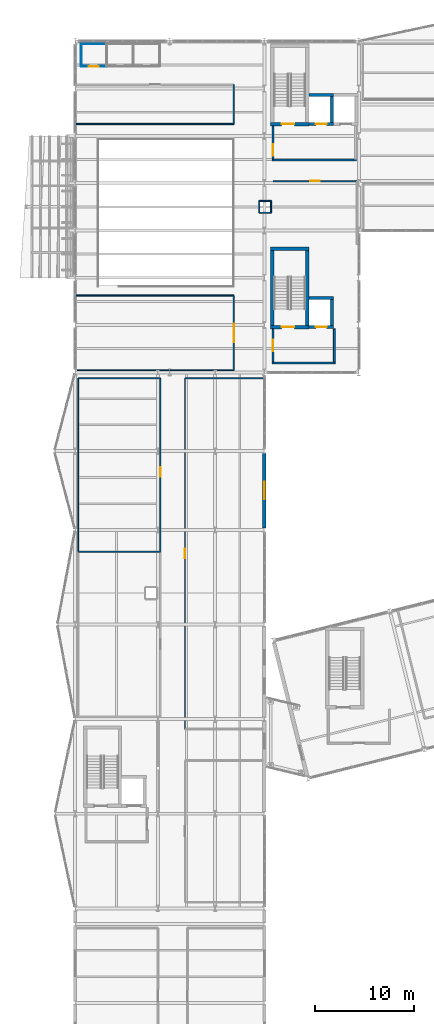
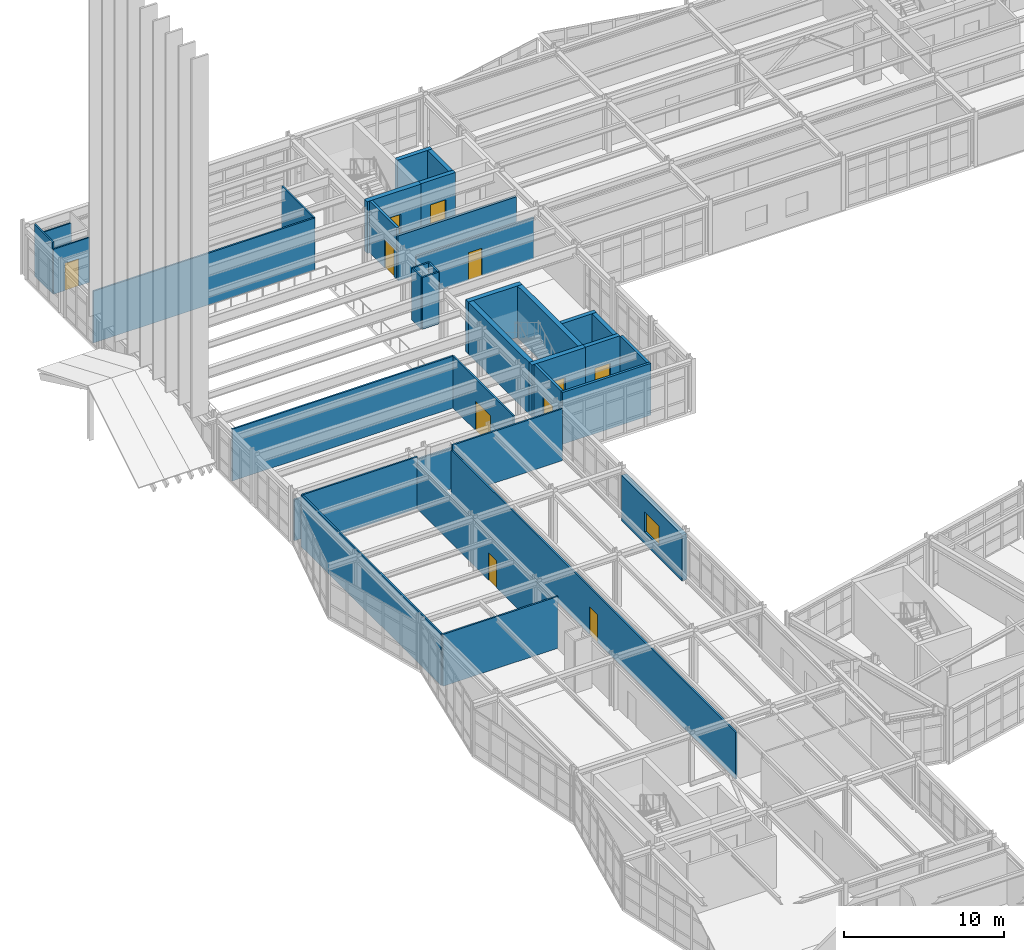
# One storey, part 84 of 99: 36 walls, 11 doors, 1 window, 12 openings.
"""IFC4 building model written with IfcOpenShell, lengths in metres."""

from ifc_helpers import new_model, si_unit, direction, frame, frame_2d, origin, place, context, subcontext, project, spatial, rectangle, extrude, material, layer, layer_set, type_object, element, fill, save


model = new_model("IFC4")

# Units and contexts
model_context = context("Model", 3, precision=1e-05, world=origin(), true_north=direction((0.0, 1.0)))
body_context = subcontext(model_context, "Body", "Model", "MODEL_VIEW")
ifc_project = project(units=[si_unit("LENGTHUNIT", "METRE"), si_unit("AREAUNIT", "SQUARE_METRE"), si_unit("VOLUMEUNIT", "CUBIC_METRE"), si_unit("PLANEANGLEUNIT", "RADIAN"), si_unit("MASSUNIT", "GRAM", prefix="KILO")], contexts=[model_context])

# Site, building, storey
site_placement = place(None, origin())
site = spatial("IfcSite", under=ifc_project, at=site_placement, CompositionType="ELEMENT")
building_placement = place(site_placement, origin())
building = spatial("IfcBuilding", under=site, at=building_placement, Name="Nordkorset Police Headquarters", CompositionType="ELEMENT")
storey_placement = place(building_placement, frame((0.0, 0.0, 5.25)))
storey = spatial("IfcBuildingStorey", under=building, at=storey_placement, Name="L01", CompositionType="ELEMENT", Elevation=5.25)

# Wall
ifc_material_1 = material(Name="Gypsum board", Category="gypsum")
ifc_layer_1 = layer(ifc_material_1, 0.179931640625, Name="Gypsum board")
ifc_layer_set_1 = layer_set([ifc_layer_1], Name="Gypsum board")
wall_type_1 = type_object("IfcWallType", Name="Wall_Comp_180", PredefinedType="PARTITIONING", material=ifc_layer_set_1)
wall_1_placement = place(storey_placement, frame((20.0, 104.760009765625, 0.0), z_axis=(0.0, 0.0, 1.0), x_axis=(1.0, 0.0, 0.0)))
element("IfcWall", 1, at=wall_1_placement, inside=storey, type_object=wall_type_1, Name="Firefighting Lobby EI 60 Wall K1 L01 S", PredefinedType="PARTITIONING", context=body_context, shape_type="SweptSolid", body=[
    extrude(rectangle(XDim=8.550048828125, YDim=0.179931640625, at=frame_2d((4.27490234375, 0.0))), origin(), (0.0, 0.0, 1.0), 3.43994140625),
])

# Wall, opening, door
wall_2_placement = place(storey_placement, frame((20.090087890625, 104.85009765625, 0.0), z_axis=(0.0, 0.0, 1.0), x_axis=(0.0, 1.0, 0.0)))
wall_2 = element("IfcWall", 2, at=wall_2_placement, inside=storey, type_object=wall_type_1, Name="Firefighting Lobby EI 60 Wall K1 L01 W", PredefinedType="PARTITIONING", context=body_context, shape_type="SweptSolid", body=[
    extrude(rectangle(XDim=3.375, YDim=0.179931640625, at=frame_2d((1.6875, 0.0))), origin(), (0.0, 0.0, 1.0), 3.9599609375),
])
opening_1_placement = place(wall_2_placement, frame((0.35009765625, 0.0, 0.0)))
opening_1 = element("IfcOpeningElement", 3, at=opening_1_placement, cuts=wall_2, Name="Opening DR-01", PredefinedType="OPENING", context=body_context, shape_type="SweptSolid", body=[
    extrude(rectangle(XDim=1.14990234375, YDim=2.14990234375, at=frame_2d((0.574951171875, 1.074951171875))), frame((0.0, 0.10009765625, 0.0), z_axis=(0.0, -1.0, 0.0), x_axis=(1.0, 0.0, 0.0)), (0.0, 0.0, 1.0), 0.199951171875),
])
ifc_material_2 = material(Name="Steel S355J2", Category="steel")
door_type_1 = type_object("IfcDoorType", Name="Door_LobbySingle_1150x2150", OperationType="NOTDEFINED", PredefinedType="DOOR", material=ifc_material_2)
door_1_placement = place(opening_1_placement, origin())
door_1 = element("IfcDoor", 4, at=door_1_placement, inside=storey, type_object=door_type_1, Name="Firefighting Lobby Smoke Door K1 L01 W", OperationType="SINGLE_SWING_LEFT", OverallHeight=2.14990234375, OverallWidth=1.14990234375, PredefinedType="DOOR", context=body_context, shape_type="SweptSolid", body=[
    extrude(rectangle(XDim=1.14990234375, YDim=2.14990234375, at=frame_2d((0.574951171875, 1.074951171875))), frame((0.0, 0.02490234375, 0.0), z_axis=(0.0, -1.0, 0.0), x_axis=(1.0, 0.0, 0.0)), (0.0, 0.0, 1.0), 0.050048828125),
])
fill(opening_1, door_1)

# Wall
wall_3_placement = place(storey_placement, frame((20.0, 84.159912109375, 0.0), z_axis=(0.0, 0.0, 1.0), x_axis=(1.0, 0.0, 0.0)))
element("IfcWall", 5, at=wall_3_placement, inside=storey, type_object=wall_type_1, Name="Firefighting Lobby EI 60 Wall K3 L01 S", PredefinedType="PARTITIONING", context=body_context, shape_type="SweptSolid", body=[
    extrude(rectangle(XDim=6.39990234375, YDim=0.179931640625, at=frame_2d((3.199951171875, 0.0))), origin(), (0.0, 0.0, 1.0), 3.9599609375),
])

# Wall, opening, door
wall_4_placement = place(storey_placement, frame((20.090087890625, 84.25, 0.0), z_axis=(0.0, 0.0, 1.0), x_axis=(0.0, 1.0, 0.0)))
wall_4 = element("IfcWall", 6, at=wall_4_placement, inside=storey, type_object=wall_type_1, Name="Firefighting Lobby EI 60 Wall K3 L01 W", PredefinedType="PARTITIONING", context=body_context, shape_type="SweptSolid", body=[
    extrude(rectangle(XDim=3.375, YDim=0.179931640625, at=frame_2d((1.6875, 0.0))), origin(), (0.0, 0.0, 1.0), 3.9599609375),
])
opening_2_placement = place(wall_4_placement, frame((1.112548828125, 0.0, 0.0)))
opening_2 = element("IfcOpeningElement", 7, at=opening_2_placement, cuts=wall_4, Name="Opening DR-01", PredefinedType="OPENING", context=body_context, shape_type="SweptSolid", body=[
    extrude(rectangle(XDim=1.14990234375, YDim=2.14990234375, at=frame_2d((0.574951171875, 1.074951171875))), frame((0.0, 0.10009765625, 0.0), z_axis=(0.0, -1.0, 0.0), x_axis=(1.0, 0.0, 0.0)), (0.0, 0.0, 1.0), 0.199951171875),
])
door_2_placement = place(opening_2_placement, origin())
door_2 = element("IfcDoor", 8, at=door_2_placement, inside=storey, type_object=door_type_1, Name="Firefighting Lobby Smoke Door K3 L01 W", OperationType="SINGLE_SWING_RIGHT", OverallHeight=2.14990234375, OverallWidth=1.14990234375, PredefinedType="DOOR", context=body_context, shape_type="SweptSolid", body=[
    extrude(rectangle(XDim=1.14990234375, YDim=2.14990234375, at=frame_2d((0.574951171875, 1.074951171875))), frame((0.0, 0.02490234375, 0.0), z_axis=(0.0, -1.0, 0.0), x_axis=(1.0, 0.0, 0.0)), (0.0, 0.0, 1.0), 0.050048828125),
])
fill(opening_2, door_2)

# Wall
wall_5_placement = place(storey_placement, frame((26.31005859375, 84.25, 0.0), z_axis=(0.0, 0.0, 1.0), x_axis=(0.0, 1.0, 0.0)))
element("IfcWall", 9, at=wall_5_placement, inside=storey, type_object=wall_type_1, Name="Firefighting Lobby EI 60 Wall K3 L01 E", PredefinedType="PARTITIONING", context=body_context, shape_type="SweptSolid", body=[
    extrude(rectangle(XDim=3.375, YDim=0.179931640625, at=frame_2d((1.6875, 0.0))), origin(), (0.0, 0.0, 1.0), 3.9599609375),
])

# Wall, opening, door
ifc_material_3 = material(Name="Concrete C35/45", Category="concrete")
ifc_layer_2 = layer(ifc_material_3, 0.35009765625, Name="Concrete C35/45")
ifc_layer_set_2 = layer_set([ifc_layer_2], Name="Concrete C35/45")
wall_type_2 = type_object("IfcWallType", Name="Wall_CoreShear_350", PredefinedType="SHEAR", material=ifc_layer_set_2)
wall_6_placement = place(storey_placement, frame((19.824951171875, 108.39990234375, 0.0), z_axis=(0.0, 0.0, 1.0), x_axis=(1.0, 0.0, 0.0)))
wall_6 = element("IfcWall", 10, at=wall_6_placement, inside=storey, type_object=wall_type_2, Name="Core K1 Stair Shaft South Shear Wall L01", PredefinedType="SHEAR", context=body_context, shape_type="SweptSolid", body=[
    extrude(rectangle(XDim=3.900146484375, YDim=0.35009765625, at=frame_2d((1.9501953125, 0.0))), origin(), (0.0, 0.0, 1.0), 3.9599609375),
])
opening_3_placement = place(wall_6_placement, frame((1.125, 0.0, 0.0)))
opening_3 = element("IfcOpeningElement", 11, at=opening_3_placement, cuts=wall_6, Name="Opening DR-20", PredefinedType="OPENING", context=body_context, shape_type="SweptSolid", body=[
    extrude(rectangle(XDim=1.300048828125, YDim=2.14990234375, at=frame_2d((0.64990234375, 1.074951171875))), frame((0.0, 0.18505859375, 0.0), z_axis=(0.0, -1.0, 0.0), x_axis=(1.0, 0.0, 0.0)), (0.0, 0.0, 1.0), 0.3701171875),
])
ifc_material_4 = material(Name="Steel S355J2", Category="steel")
door_type_2 = type_object("IfcDoorType", Name="Door_Stair_1300x2150", OperationType="NOTDEFINED", PredefinedType="DOOR", material=ifc_material_4)
door_3_placement = place(opening_3_placement, frame((1.300048828125, 0.0, 0.0), z_axis=(0.0, 0.0, 1.0), x_axis=(-1.0, 0.0, 0.0)))
door_3 = element("IfcDoor", 12, at=door_3_placement, inside=storey, type_object=door_type_2, Name="Protected Stair Fire Door ST-01 L01", OperationType="SINGLE_SWING_RIGHT", OverallHeight=2.14990234375, OverallWidth=1.300048828125, PredefinedType="DOOR", context=body_context, shape_type="SweptSolid", body=[
    extrude(rectangle(XDim=1.300048828125, YDim=2.14990234375, at=frame_2d((0.64990234375, 1.074951171875))), frame((0.0, 0.02490234375, 0.0), z_axis=(0.0, -1.0, 0.0), x_axis=(1.0, 0.0, 0.0)), (0.0, 0.0, 1.0), 0.050048828125),
])
fill(opening_3, door_3)

wall_7_placement = place(storey_placement, frame((19.824951171875, 87.800048828125, 0.0), z_axis=(0.0, 0.0, 1.0), x_axis=(1.0, 0.0, 0.0)))
wall_7 = element("IfcWall", 13, at=wall_7_placement, inside=storey, type_object=wall_type_2, Name="Core K3 Stair Shaft South Shear Wall L01", PredefinedType="SHEAR", context=body_context, shape_type="SweptSolid", body=[
    extrude(rectangle(XDim=3.900146484375, YDim=0.35009765625, at=frame_2d((1.9501953125, 0.0))), origin(), (0.0, 0.0, 1.0), 3.9599609375),
])
opening_4_placement = place(wall_7_placement, frame((1.125, 0.0, 0.0)))
opening_4 = element("IfcOpeningElement", 14, at=opening_4_placement, cuts=wall_7, Name="Opening DR-20", PredefinedType="OPENING", context=body_context, shape_type="SweptSolid", body=[
    extrude(rectangle(XDim=1.300048828125, YDim=2.14990234375, at=frame_2d((0.64990234375, 1.074951171875))), frame((0.0, 0.18505859375, 0.0), z_axis=(0.0, -1.0, 0.0), x_axis=(1.0, 0.0, 0.0)), (0.0, 0.0, 1.0), 0.3701171875),
])
door_4_placement = place(opening_4_placement, frame((1.300048828125, 0.0, 0.0), z_axis=(0.0, 0.0, 1.0), x_axis=(-1.0, 0.0, 0.0)))
door_4 = element("IfcDoor", 15, at=door_4_placement, inside=storey, type_object=door_type_2, Name="Protected Stair Fire Door ST-03 L01", OperationType="SINGLE_SWING_LEFT", OverallHeight=2.14990234375, OverallWidth=1.300048828125, PredefinedType="DOOR", context=body_context, shape_type="SweptSolid", body=[
    extrude(rectangle(XDim=1.300048828125, YDim=2.14990234375, at=frame_2d((0.64990234375, 1.074951171875))), frame((0.0, 0.02490234375, 0.0), z_axis=(0.0, -1.0, 0.0), x_axis=(1.0, 0.0, 0.0)), (0.0, 0.0, 1.0), 0.050048828125),
])
fill(opening_4, door_4)

# Walls
wall_8_placement = place(storey_placement, frame((19.824951171875, 95.75, 0.0), z_axis=(0.0, 0.0, 1.0), x_axis=(1.0, 0.0, 0.0)))
element("IfcWall", 16, at=wall_8_placement, inside=storey, type_object=wall_type_2, Name="Core K3 Stair Shaft North Shear Wall L01", PredefinedType="SHEAR", context=body_context, shape_type="SweptSolid", body=[
    extrude(rectangle(XDim=3.900146484375, YDim=0.35009765625, at=frame_2d((1.9501953125, 0.0))), origin(), (0.0, 0.0, 1.0), 3.9599609375),
])
for number, where, z_axis, x_axis, name in (
    (17, (20.0, 87.97509765625, 0.0), (0.0, 0.0, 1.0), (0.0, 1.0, 0.0), "Core K3 Stair Shaft West Shear Wall L01"),
    (18, (23.550048828125, 87.97509765625, 0.0), (0.0, 0.0, 1.0), (0.0, 1.0, 0.0), "Core K3 Stair Shaft East Shear Wall L01"),
):
    element("IfcWall", number, at=place(storey_placement, frame(where, z_axis=z_axis, x_axis=x_axis)), inside=storey, type_object=wall_type_2, Name=name, PredefinedType="SHEAR", context=body_context, shape_type="SweptSolid", body=[
        extrude(rectangle(XDim=7.599853515625, YDim=0.35009765625, at=frame_2d((3.7998046875, 0.0))), origin(), (0.0, 0.0, 1.0), 3.9599609375),
    ])

# Wall, opening, window
ifc_material_5 = material(Name="Precast concrete C40/50", Category="concrete")
ifc_layer_3 = layer(ifc_material_5, 0.360107421875, Name="Precast concrete C40/50")
ifc_layer_set_3 = layer_set([ifc_layer_3], Name="Precast concrete C40/50")
wall_type_3 = type_object("IfcWallType", Name="Wall_ExtPrecast_360", PredefinedType="SOLIDWALL", material=ifc_layer_set_3)
wall_9_placement = place(storey_placement, frame((19.199951171875, 67.402099609375, 0.0), z_axis=(0.0, 0.0, 1.0), x_axis=(0.0, 1.0, 0.0)))
wall_9 = element("IfcWall", 19, at=wall_9_placement, inside=storey, type_object=wall_type_3, Name="Exterior Insulated Precast Wall L01 V3E-4", PredefinedType="SOLIDWALL", context=body_context, shape_type="SweptSolid", body=[
    extrude(rectangle(XDim=7.595947265625, YDim=0.360107421875, at=frame_2d((3.7978515625, 0.0))), origin(), (0.0, 0.0, 1.0), 3.5),
])
opening_5_placement = place(wall_9_placement, frame((2.89794921875, 0.0, 0.89990234375)))
opening_5 = element("IfcOpeningElement", 20, at=opening_5_placement, cuts=wall_9, Name="Opening WN-26", PredefinedType="OPENING", context=body_context, shape_type="SweptSolid", body=[
    extrude(rectangle(XDim=1.800048828125, YDim=1.550048828125, at=frame_2d((0.89990234375, 0.77490234375))), frame((0.0, 0.18994140625, 0.0), z_axis=(0.0, -1.0, 0.0), x_axis=(1.0, 0.0, 0.0)), (0.0, 0.0, 1.0), 0.380126953125),
])
ifc_material_6 = material(Name="Low-iron triple glazing", Category="glass")
window_type = type_object("IfcWindowType", Name="Win_1800x1550", PartitioningType="SINGLE_PANEL", PredefinedType="WINDOW", material=ifc_material_6)
window_placement = place(opening_5_placement, origin())
window = element("IfcWindow", 21, at=window_placement, inside=storey, type_object=window_type, Name="Triple-Glazed Exterior Window L01 V3E-4-1", OverallHeight=1.550048828125, OverallWidth=1.800048828125, PartitioningType="SINGLE_PANEL", PredefinedType="WINDOW", context=body_context, shape_type="SweptSolid", body=[
    extrude(rectangle(XDim=1.800048828125, YDim=1.550048828125, at=frame_2d((0.89990234375, 0.77490234375))), frame((0.0, 0.030029296875, 0.0), z_axis=(0.0, -1.0, 0.0), x_axis=(1.0, 0.0, 0.0)), (0.0, 0.0, 1.0), 0.06005859375),
])
fill(opening_5, window)

# Wall, opening, door
ifc_material_7 = material(Name="Gypsum board", Category="gypsum")
ifc_layer_4 = layer(ifc_material_7, 0.10009765625, Name="Gypsum board")
ifc_layer_set_4 = layer_set([ifc_layer_4], Name="Gypsum board")
wall_type_4 = type_object("IfcWallType", Name="Wall_Part_100", PredefinedType="PARTITIONING", material=ifc_layer_set_4)
wall_10_placement = place(storey_placement, frame((0.60009765625, 114.25, 0.0), z_axis=(0.0, 0.0, 1.0), x_axis=(1.0, 0.0, 0.0)))
wall_10 = element("IfcWall", 22, at=wall_10_placement, inside=storey, type_object=wall_type_4, Name="Interior Partition Wall Accessible WC L01W", PredefinedType="PARTITIONING", context=body_context, shape_type="SweptSolid", body=[
    extrude(rectangle(XDim=2.599853515625, YDim=0.10009765625, at=frame_2d((1.2998046875, 0.0))), origin(), (0.0, 0.0, 1.0), 3.43994140625),
])
opening_6_placement = place(wall_10_placement, frame((0.800048828125, 0.0, 0.0)))
opening_6 = element("IfcOpeningElement", 23, at=opening_6_placement, cuts=wall_10, Name="Opening DR-23", PredefinedType="OPENING", context=body_context, shape_type="SweptSolid", body=[
    extrude(rectangle(XDim=1.0, YDim=2.080078125, at=frame_2d((0.5, 1.0400390625))), frame((0.0, 0.06005859375, 0.0), z_axis=(0.0, -1.0, 0.0), x_axis=(1.0, 0.0, 0.0)), (0.0, 0.0, 1.0), 0.1201171875),
])
ifc_material_8 = material(Name="Glulam GL30c", Category="wood")
door_type_3 = type_object("IfcDoorType", Name="Door_WCAccess_1000x2080", OperationType="NOTDEFINED", PredefinedType="DOOR", material=ifc_material_8)
door_5_placement = place(opening_6_placement, origin())
door_5 = element("IfcDoor", 24, at=door_5_placement, inside=storey, type_object=door_type_3, Name="Interior Door Accessible WC L01W", OperationType="SINGLE_SWING_RIGHT", OverallHeight=2.080078125, OverallWidth=1.0, PredefinedType="DOOR", context=body_context, shape_type="SweptSolid", body=[
    extrude(rectangle(XDim=1.0, YDim=2.080078125, at=frame_2d((0.5, 1.0400390625))), frame((0.0, 0.02490234375, 0.0), z_axis=(0.0, -1.0, 0.0), x_axis=(1.0, 0.0, 0.0)), (0.0, 0.0, 1.0), 0.050048828125),
])
fill(opening_6, door_5)

# Walls
wall_11_placement = place(storey_placement, frame((3.199951171875, 116.550048828125, 0.0), z_axis=(0.0, 0.0, 1.0), x_axis=(-1.0, 0.0, 0.0)))
element("IfcWall", 25, at=wall_11_placement, inside=storey, type_object=wall_type_4, Name="Interior Partition Wall Accessible WC L01W", PredefinedType="PARTITIONING", context=body_context, shape_type="SweptSolid", body=[
    extrude(rectangle(XDim=2.599853515625, YDim=0.10009765625, at=frame_2d((1.2998046875, 0.0))), origin(), (0.0, 0.0, 1.0), 3.139892578125),
])
wall_12_placement = place(storey_placement, frame((0.60009765625, 116.550048828125, 0.0), z_axis=(0.0, 0.0, 1.0), x_axis=(0.0, -1.0, 0.0)))
element("IfcWall", 26, at=wall_12_placement, inside=storey, type_object=wall_type_4, Name="Interior Partition Wall Accessible WC L01W", PredefinedType="PARTITIONING", context=body_context, shape_type="SweptSolid", body=[
    extrude(rectangle(XDim=2.300048828125, YDim=0.10009765625, at=frame_2d((1.14990234375, 0.0))), origin(), (0.0, 0.0, 1.0), 3.9599609375),
])
ifc_material_9 = material(Name="Gypsum board", Category="gypsum")
ifc_layer_5 = layer(ifc_material_9, 0.1201171875, Name="Gypsum board")
ifc_layer_set_5 = layer_set([ifc_layer_5], Name="Gypsum board")
wall_type_5 = type_object("IfcWallType", Name="Wall_Part_120", PredefinedType="PARTITIONING", material=ifc_layer_set_5)
wall_13_placement = place(storey_placement, frame((0.199951171875, 83.39990234375, 0.0), z_axis=(0.0, 0.0, 1.0), x_axis=(1.0, 0.0, 0.0)))
element("IfcWall", 27, at=wall_13_placement, inside=storey, type_object=wall_type_5, Name="Interior Partition Wall Civic Atrium Overlook Gallery", PredefinedType="PARTITIONING", context=body_context, shape_type="SweptSolid", body=[
    extrude(rectangle(XDim=15.900146484375, YDim=0.1201171875, at=frame_2d((7.9501953125, 0.0))), origin(), (0.0, 0.0, 1.0), 3.139892578125),
])

# Wall, opening, door
wall_14_placement = place(storey_placement, frame((16.10009765625, 83.39990234375, 0.0), z_axis=(0.0, 0.0, 1.0), x_axis=(0.0, 1.0, 0.0)))
wall_14 = element("IfcWall", 28, at=wall_14_placement, inside=storey, type_object=wall_type_5, Name="Interior Partition Wall Civic Atrium Overlook Gallery", PredefinedType="PARTITIONING", context=body_context, shape_type="SweptSolid", body=[
    extrude(rectangle(XDim=7.60009765625, YDim=0.1201171875, at=frame_2d((3.800048828125, 0.0))), origin(), (0.0, 0.0, 1.0), 3.9599609375),
])
opening_7_placement = place(wall_14_placement, frame((2.860107421875, 0.0, 0.0)))
opening_7 = element("IfcOpeningElement", 29, at=opening_7_placement, cuts=wall_14, Name="Opening DR-05", PredefinedType="OPENING", context=body_context, shape_type="SweptSolid", body=[
    extrude(rectangle(XDim=1.8798828125, YDim=2.25, at=frame_2d((0.93994140625, 1.125))), frame((0.0, 0.070068359375, 0.0), z_axis=(0.0, -1.0, 0.0), x_axis=(1.0, 0.0, 0.0)), (0.0, 0.0, 1.0), 0.14013671875),
])
ifc_material_10 = material(Name="Aluminium alloy AW-6060", Category="aluminium")
door_type_4 = type_object("IfcDoorType", Name="Door_HallDouble_1880x2250", OperationType="DOUBLE_DOOR_SINGLE_SWING", PredefinedType="DOOR", material=ifc_material_10)
door_6_placement = place(opening_7_placement, origin())
door_6 = element("IfcDoor", 30, at=door_6_placement, inside=storey, type_object=door_type_4, Name="Interior Door Civic Atrium Overlook Gallery", OperationType="DOUBLE_DOOR_SINGLE_SWING", OverallHeight=2.25, OverallWidth=1.8798828125, PredefinedType="DOOR", context=body_context, shape_type="SweptSolid", body=[
    extrude(rectangle(XDim=1.8798828125, YDim=2.25, at=frame_2d((0.93994140625, 1.125))), frame((0.0, 0.02490234375, 0.0), z_axis=(0.0, -1.0, 0.0), x_axis=(1.0, 0.0, 0.0)), (0.0, 0.0, 1.0), 0.050048828125),
])
fill(opening_7, door_6)

# Walls
for number, where, z_axis, x_axis, name in (
    (31, (16.10009765625, 91.0, 0.0), (0.0, 0.0, 1.0), (-1.0, 0.0, 0.0), "Interior Partition Wall Civic Atrium Overlook Gallery"),
    (32, (0.0849609375, 108.39990234375, 0.0), (0.0, 0.0, 1.0), (1.0, 0.0, 0.0), "Interior Partition Wall Public Affairs and Digital Media Suite"),
):
    element("IfcWall", number, at=place(storey_placement, frame(where, z_axis=z_axis, x_axis=x_axis)), inside=storey, type_object=wall_type_5, Name=name, PredefinedType="PARTITIONING", context=body_context, shape_type="SweptSolid", body=[
        extrude(rectangle(XDim=16.01513671875, YDim=0.1201171875, at=frame_2d((8.007568359375, 0.0))), origin(), (0.0, 0.0, 1.0), 3.9599609375),
    ])
wall_15_placement = place(storey_placement, frame((16.10009765625, 108.39990234375, 0.0), z_axis=(0.0, 0.0, 1.0), x_axis=(0.0, 1.0, 0.0)))
element("IfcWall", 33, at=wall_15_placement, inside=storey, type_object=wall_type_5, Name="Interior Partition Wall Public Affairs and Digital Media Suite", PredefinedType="PARTITIONING", context=body_context, shape_type="SweptSolid", body=[
    extrude(rectangle(XDim=4.0, YDim=0.1201171875, at=frame_2d((2.0, 0.0))), origin(), (0.0, 0.0, 1.0), 3.9599609375),
])

# Wall, opening, door
wall_16_placement = place(storey_placement, frame((28.60009765625, 102.60009765625, 0.0), z_axis=(0.0, 0.0, 1.0), x_axis=(-1.0, 0.0, 0.0)))
wall_16 = element("IfcWall", 34, at=wall_16_placement, inside=storey, type_object=wall_type_5, Name="Interior Partition Wall Citizen Outreach Office", PredefinedType="PARTITIONING", context=body_context, shape_type="SweptSolid", body=[
    extrude(rectangle(XDim=8.52001953125, YDim=0.1201171875, at=frame_2d((4.260009765625, 0.0))), origin(), (0.0, 0.0, 1.0), 3.139892578125),
])
opening_8_placement = place(wall_16_placement, frame((3.77001953125, 0.0, 0.0)))
opening_8 = element("IfcOpeningElement", 35, at=opening_8_placement, cuts=wall_16, Name="Opening DR-18", PredefinedType="OPENING", context=body_context, shape_type="SweptSolid", body=[
    extrude(rectangle(XDim=0.97998046875, YDim=2.10009765625, at=frame_2d((0.489990234375, 1.050048828125))), frame((0.0, 0.070068359375, 0.0), z_axis=(0.0, -1.0, 0.0), x_axis=(1.0, 0.0, 0.0)), (0.0, 0.0, 1.0), 0.14013671875),
])
ifc_material_11 = material(Name="Glulam GL30c", Category="wood")
door_type_5 = type_object("IfcDoorType", Name="Door_Office_980x2100", OperationType="NOTDEFINED", PredefinedType="DOOR", material=ifc_material_11)
door_7_placement = place(opening_8_placement, frame((0.97998046875, 0.0, 0.0), z_axis=(0.0, 0.0, 1.0), x_axis=(-1.0, 0.0, 0.0)))
door_7 = element("IfcDoor", 36, at=door_7_placement, inside=storey, type_object=door_type_5, Name="Interior Door Citizen Outreach Office", OperationType="SINGLE_SWING_LEFT", OverallHeight=2.10009765625, OverallWidth=0.97998046875, PredefinedType="DOOR", context=body_context, shape_type="SweptSolid", body=[
    extrude(rectangle(XDim=0.97998046875, YDim=2.10009765625, at=frame_2d((0.489990234375, 1.050048828125))), frame((0.0, 0.02490234375, 0.0), z_axis=(0.0, -1.0, 0.0), x_axis=(1.0, 0.0, 0.0)), (0.0, 0.0, 1.0), 0.050048828125),
])
fill(opening_8, door_7)

# Wall
wall_17_placement = place(storey_placement, frame((8.639892578125, 65.0, 0.0), z_axis=(0.0, 0.0, 1.0), x_axis=(-1.0, 0.0, 0.0)))
element("IfcWall", 37, at=wall_17_placement, inside=storey, type_object=wall_type_5, Name="Interior Partition Wall Trace Evidence Laboratory", PredefinedType="PARTITIONING", context=body_context, shape_type="SweptSolid", body=[
    extrude(rectangle(XDim=8.33984375, YDim=0.1201171875, at=frame_2d((4.169921875, 0.0))), origin(), (0.0, 0.0, 1.0), 3.9599609375),
])

# Wall, opening, door
wall_18_placement = place(storey_placement, frame((8.639892578125, 65.054931640625, 0.0), z_axis=(0.0, 0.0, 1.0), x_axis=(0.0, 1.0, 0.0)))
wall_18 = element("IfcWall", 38, at=wall_18_placement, inside=storey, type_object=wall_type_5, Name="Interior Partition Wall Latent Fingerprint Laboratory", PredefinedType="PARTITIONING", context=body_context, shape_type="SweptSolid", body=[
    extrude(rectangle(XDim=17.545166015625, YDim=0.1201171875, at=frame_2d((8.7724609375, 0.0))), origin(), (0.0, 0.0, 1.0), 3.5),
])
opening_9_placement = place(wall_18_placement, frame((7.532470703125, 0.0, 0.0)))
opening_9 = element("IfcOpeningElement", 39, at=opening_9_placement, cuts=wall_18, Name="Opening DR-18", PredefinedType="OPENING", context=body_context, shape_type="SweptSolid", body=[
    extrude(rectangle(XDim=0.97998046875, YDim=2.10009765625, at=frame_2d((0.489990234375, 1.050048828125))), frame((0.0, 0.070068359375, 0.0), z_axis=(0.0, -1.0, 0.0), x_axis=(1.0, 0.0, 0.0)), (0.0, 0.0, 1.0), 0.14013671875),
])
door_8_placement = place(opening_9_placement, frame((0.97998046875, 0.0, 0.0), z_axis=(0.0, 0.0, 1.0), x_axis=(-1.0, 0.0, 0.0)))
door_8 = element("IfcDoor", 40, at=door_8_placement, inside=storey, type_object=door_type_5, Name="Interior Door Latent Fingerprint Laboratory", OperationType="SINGLE_SWING_LEFT", OverallHeight=2.10009765625, OverallWidth=0.97998046875, PredefinedType="DOOR", context=body_context, shape_type="SweptSolid", body=[
    extrude(rectangle(XDim=0.97998046875, YDim=2.10009765625, at=frame_2d((0.489990234375, 1.050048828125))), frame((0.0, 0.02490234375, 0.0), z_axis=(0.0, -1.0, 0.0), x_axis=(1.0, 0.0, 0.0)), (0.0, 0.0, 1.0), 0.050048828125),
])
fill(opening_9, door_8)

# Walls
wall_19_placement = place(storey_placement, frame((8.639892578125, 82.60009765625, 0.0), z_axis=(0.0, 0.0, 1.0), x_axis=(-1.0, 0.0, 0.0)))
element("IfcWall", 41, at=wall_19_placement, inside=storey, type_object=wall_type_5, Name="Interior Partition Wall Latent Fingerprint Laboratory", PredefinedType="PARTITIONING", context=body_context, shape_type="SweptSolid", body=[
    extrude(rectangle(XDim=8.33984375, YDim=0.1201171875, at=frame_2d((4.169921875, 0.0))), origin(), (0.0, 0.0, 1.0), 3.9599609375),
])
wall_20_placement = place(storey_placement, frame((0.300048828125, 82.60009765625, 0.0), z_axis=(0.0, 0.0, 1.0), x_axis=(0.0, -1.0, 0.0)))
element("IfcWall", 42, at=wall_20_placement, inside=storey, type_object=wall_type_5, Name="Interior Partition Wall Latent Fingerprint Laboratory", PredefinedType="PARTITIONING", context=body_context, shape_type="SweptSolid", body=[
    extrude(rectangle(XDim=17.545166015625, YDim=0.1201171875, at=frame_2d((8.7724609375, 0.0))), origin(), (0.0, 0.0, 1.0), 3.9599609375),
])
wall_21_placement = place(storey_placement, frame((19.114990234375, 82.60009765625, 0.0), z_axis=(0.0, 0.0, 1.0), x_axis=(-1.0, 0.0, 0.0)))
element("IfcWall", 43, at=wall_21_placement, inside=storey, type_object=wall_type_5, Name="Interior Partition Wall Forensic Imaging and Photogrammetry Studio", PredefinedType="PARTITIONING", context=body_context, shape_type="SweptSolid", body=[
    extrude(rectangle(XDim=7.955078125, YDim=0.1201171875, at=frame_2d((3.9775390625, 0.0))), origin(), (0.0, 0.0, 1.0), 3.9599609375),
])

# Wall, opening, door
wall_22_placement = place(storey_placement, frame((11.159912109375, 82.60009765625, 0.0), z_axis=(0.0, 0.0, 1.0), x_axis=(0.0, -1.0, 0.0)))
wall_22 = element("IfcWall", 44, at=wall_22_placement, inside=storey, type_object=wall_type_5, Name="Interior Partition Wall Forensic Imaging and Photogrammetry Studio", PredefinedType="PARTITIONING", context=body_context, shape_type="SweptSolid", body=[
    extrude(rectangle(XDim=35.60009765625, YDim=0.1201171875, at=frame_2d((17.800048828125, 0.0))), origin(), (0.0, 0.0, 1.0), 3.580078125),
])
opening_10_placement = place(wall_22_placement, frame((17.31005859375, 0.0, 0.0)))
opening_10 = element("IfcOpeningElement", 45, at=opening_10_placement, cuts=wall_22, Name="Opening DR-18", PredefinedType="OPENING", context=body_context, shape_type="SweptSolid", body=[
    extrude(rectangle(XDim=0.97998046875, YDim=2.10009765625, at=frame_2d((0.489990234375, 1.050048828125))), frame((0.0, 0.070068359375, 0.0), z_axis=(0.0, -1.0, 0.0), x_axis=(1.0, 0.0, 0.0)), (0.0, 0.0, 1.0), 0.14013671875),
])
door_9_placement = place(opening_10_placement, frame((0.97998046875, 0.0, 0.0), z_axis=(0.0, 0.0, 1.0), x_axis=(-1.0, 0.0, 0.0)))
door_9 = element("IfcDoor", 46, at=door_9_placement, inside=storey, type_object=door_type_5, Name="Interior Door Forensic Imaging and Photogrammetry Studio", OperationType="SINGLE_SWING_LEFT", OverallHeight=2.10009765625, OverallWidth=0.97998046875, PredefinedType="DOOR", context=body_context, shape_type="SweptSolid", body=[
    extrude(rectangle(XDim=0.97998046875, YDim=2.10009765625, at=frame_2d((0.489990234375, 1.050048828125))), frame((0.0, 0.02490234375, 0.0), z_axis=(0.0, -1.0, 0.0), x_axis=(1.0, 0.0, 0.0)), (0.0, 0.0, 1.0), 0.050048828125),
])
fill(opening_10, door_9)

# Walls
ifc_material_12 = material(Name="Gypsum board", Category="gypsum")
ifc_layer_6 = layer(ifc_material_12, 0.125, Name="Gypsum board")
ifc_layer_set_6 = layer_set([ifc_layer_6], Name="Gypsum board")
wall_type_6 = type_object("IfcWallType", Name="Wall_Riser_125", PredefinedType="PARTITIONING", material=ifc_layer_set_6)
wall_23_placement = place(storey_placement, frame((18.679931640625, 99.39990234375, 0.0), z_axis=(0.0, 0.0, 1.0), x_axis=(1.0, 0.0, 0.0)))
element("IfcWall", 47, at=wall_23_placement, inside=storey, type_object=wall_type_6, Name="Service Riser Enclosure RSR-V1 L01", PredefinedType="PARTITIONING", context=body_context, shape_type="SweptSolid", body=[
    extrude(rectangle(XDim=1.199951171875, YDim=0.125, at=frame_2d((0.60009765625, 0.0))), origin(), (0.0, 0.0, 1.0), 3.9599609375),
])
wall_24_placement = place(storey_placement, frame((19.8798828125, 99.39990234375, 0.0), z_axis=(0.0, 0.0, 1.0), x_axis=(0.0, 1.0, 0.0)))
element("IfcWall", 48, at=wall_24_placement, inside=storey, type_object=wall_type_6, Name="Service Riser Enclosure RSR-V1 L01", PredefinedType="PARTITIONING", context=body_context, shape_type="SweptSolid", body=[
    extrude(rectangle(XDim=1.2001953125, YDim=0.125, at=frame_2d((0.60009765625, 0.0))), origin(), (0.0, 0.0, 1.0), 3.9599609375),
])
wall_25_placement = place(storey_placement, frame((19.8798828125, 100.60009765625, 0.0), z_axis=(0.0, 0.0, 1.0), x_axis=(-1.0, 0.0, 0.0)))
element("IfcWall", 49, at=wall_25_placement, inside=storey, type_object=wall_type_6, Name="Service Riser Enclosure RSR-V1 L01", PredefinedType="PARTITIONING", context=body_context, shape_type="SweptSolid", body=[
    extrude(rectangle(XDim=1.199951171875, YDim=0.125, at=frame_2d((0.60009765625, 0.0))), origin(), (0.0, 0.0, 1.0), 3.9599609375),
])
wall_26_placement = place(storey_placement, frame((18.679931640625, 100.60009765625, 0.0), z_axis=(0.0, 0.0, 1.0), x_axis=(0.0, -1.0, 0.0)))
element("IfcWall", 50, at=wall_26_placement, inside=storey, type_object=wall_type_6, Name="Service Riser Enclosure RSR-V1 L01", PredefinedType="PARTITIONING", context=body_context, shape_type="SweptSolid", body=[
    extrude(rectangle(XDim=1.2001953125, YDim=0.125, at=frame_2d((0.60009765625, 0.0))), origin(), (0.0, 0.0, 1.0), 3.9599609375),
])

# Wall, opening, door
ifc_material_13 = material(Name="Concrete C35/45", Category="concrete")
ifc_layer_7 = layer(ifc_material_13, 0.300048828125, Name="Concrete C35/45")
ifc_layer_set_7 = layer_set([ifc_layer_7], Name="Concrete C35/45")
wall_type_7 = type_object("IfcWallType", Name="Wall_ShaftShear_300", PredefinedType="SHEAR", material=ifc_layer_set_7)
wall_27_placement = place(storey_placement, frame((23.72509765625, 108.39990234375, 0.0), z_axis=(0.0, 0.0, 1.0), x_axis=(1.0, 0.0, 0.0)))
wall_27 = element("IfcWall", 51, at=wall_27_placement, inside=storey, type_object=wall_type_7, Name="Lift Shaft LF-01 Front Shear Wall L01", PredefinedType="SHEAR", context=body_context, shape_type="SweptSolid", body=[
    extrude(rectangle(XDim=2.5, YDim=0.300048828125, at=frame_2d((1.25, 0.0))), origin(), (0.0, 0.0, 1.0), 3.9599609375),
])
opening_11_placement = place(wall_27_placement, frame((0.699951171875, 0.0, 0.0)))
opening_11 = element("IfcOpeningElement", 52, at=opening_11_placement, cuts=wall_27, Name="Opening LD-01", PredefinedType="OPENING", context=body_context, shape_type="SweptSolid", body=[
    extrude(rectangle(XDim=1.10009765625, YDim=2.10009765625, at=frame_2d((0.550048828125, 1.050048828125))), frame((0.0, 0.16015625, 0.0), z_axis=(0.0, -1.0, 0.0), x_axis=(1.0, 0.0, 0.0)), (0.0, 0.0, 1.0), 0.320068359375),
])
ifc_material_14 = material(Name="Steel S355J2", Category="steel")
door_type_6 = type_object("IfcDoorType", Name="Door_LiftLanding_1100x2100", OperationType="SLIDING_TO_LEFT", PredefinedType="DOOR", material=ifc_material_14)
door_10_placement = place(opening_11_placement, frame((1.10009765625, 0.0, 0.0), z_axis=(0.0, 0.0, 1.0), x_axis=(-1.0, 0.0, 0.0)))
door_10 = element("IfcDoor", 53, at=door_10_placement, inside=storey, type_object=door_type_6, Name="Lift Landing Sliding Door LF-01 L01", OperationType="SLIDING_TO_LEFT", OverallHeight=2.10009765625, OverallWidth=1.10009765625, PredefinedType="DOOR", context=body_context, shape_type="SweptSolid", body=[
    extrude(rectangle(XDim=1.10009765625, YDim=2.10009765625, at=frame_2d((0.550048828125, 1.050048828125))), frame((0.0, 0.02490234375, 0.0), z_axis=(0.0, -1.0, 0.0), x_axis=(1.0, 0.0, 0.0)), (0.0, 0.0, 1.0), 0.050048828125),
])
fill(opening_11, door_10)

# Walls
wall_28_placement = place(storey_placement, frame((23.72509765625, 111.35009765625, 0.0), z_axis=(0.0, 0.0, 1.0), x_axis=(1.0, 0.0, 0.0)))
element("IfcWall", 54, at=wall_28_placement, inside=storey, type_object=wall_type_7, Name="Lift Shaft LF-01 Rear Shear Wall L01", PredefinedType="SHEAR", context=body_context, shape_type="SweptSolid", body=[
    extrude(rectangle(XDim=2.5, YDim=0.300048828125, at=frame_2d((1.25, 0.0))), origin(), (0.0, 0.0, 1.0), 3.9599609375),
])
wall_29_placement = place(storey_placement, frame((26.050048828125, 108.550048828125, 0.0), z_axis=(0.0, 0.0, 1.0), x_axis=(0.0, 1.0, 0.0)))
element("IfcWall", 55, at=wall_29_placement, inside=storey, type_object=wall_type_7, Name="Lift Shaft LF-01 East Shear Wall L01", PredefinedType="SHEAR", context=body_context, shape_type="SweptSolid", body=[
    extrude(rectangle(XDim=2.64990234375, YDim=0.300048828125, at=frame_2d((1.324951171875, 0.0))), origin(), (0.0, 0.0, 1.0), 3.9599609375),
])

# Wall, opening, door
wall_30_placement = place(storey_placement, frame((23.72509765625, 87.800048828125, 0.0), z_axis=(0.0, 0.0, 1.0), x_axis=(1.0, 0.0, 0.0)))
wall_30 = element("IfcWall", 56, at=wall_30_placement, inside=storey, type_object=wall_type_7, Name="Lift Shaft LF-03 Front Shear Wall L01", PredefinedType="SHEAR", context=body_context, shape_type="SweptSolid", body=[
    extrude(rectangle(XDim=2.5, YDim=0.300048828125, at=frame_2d((1.25, 0.0))), origin(), (0.0, 0.0, 1.0), 3.9599609375),
])
opening_12_placement = place(wall_30_placement, frame((0.699951171875, 0.0, 0.0)))
opening_12 = element("IfcOpeningElement", 57, at=opening_12_placement, cuts=wall_30, Name="Opening LD-03", PredefinedType="OPENING", context=body_context, shape_type="SweptSolid", body=[
    extrude(rectangle(XDim=1.10009765625, YDim=2.10009765625, at=frame_2d((0.550048828125, 1.050048828125))), frame((0.0, 0.16015625, 0.0), z_axis=(0.0, -1.0, 0.0), x_axis=(1.0, 0.0, 0.0)), (0.0, 0.0, 1.0), 0.320068359375),
])
door_11_placement = place(opening_12_placement, frame((1.10009765625, 0.0, 0.0), z_axis=(0.0, 0.0, 1.0), x_axis=(-1.0, 0.0, 0.0)))
door_11 = element("IfcDoor", 58, at=door_11_placement, inside=storey, type_object=door_type_6, Name="Lift Landing Sliding Door LF-03 L01", OperationType="SLIDING_TO_LEFT", OverallHeight=2.10009765625, OverallWidth=1.10009765625, PredefinedType="DOOR", context=body_context, shape_type="SweptSolid", body=[
    extrude(rectangle(XDim=1.10009765625, YDim=2.10009765625, at=frame_2d((0.550048828125, 1.050048828125))), frame((0.0, 0.02490234375, 0.0), z_axis=(0.0, -1.0, 0.0), x_axis=(1.0, 0.0, 0.0)), (0.0, 0.0, 1.0), 0.050048828125),
])
fill(opening_12, door_11)

# Walls
wall_31_placement = place(storey_placement, frame((23.72509765625, 90.75, 0.0), z_axis=(0.0, 0.0, 1.0), x_axis=(1.0, 0.0, 0.0)))
element("IfcWall", 59, at=wall_31_placement, inside=storey, type_object=wall_type_7, Name="Lift Shaft LF-03 Rear Shear Wall L01", PredefinedType="SHEAR", context=body_context, shape_type="SweptSolid", body=[
    extrude(rectangle(XDim=2.5, YDim=0.300048828125, at=frame_2d((1.25, 0.0))), origin(), (0.0, 0.0, 1.0), 3.9599609375),
])
wall_32_placement = place(storey_placement, frame((26.050048828125, 87.949951171875, 0.0), z_axis=(0.0, 0.0, 1.0), x_axis=(0.0, 1.0, 0.0)))
element("IfcWall", 60, at=wall_32_placement, inside=storey, type_object=wall_type_7, Name="Lift Shaft LF-03 East Shear Wall L01", PredefinedType="SHEAR", context=body_context, shape_type="SweptSolid", body=[
    extrude(rectangle(XDim=2.650146484375, YDim=0.300048828125, at=frame_2d((1.3251953125, 0.0))), origin(), (0.0, 0.0, 1.0), 3.9599609375),
])

save(model, "model.ifc")
